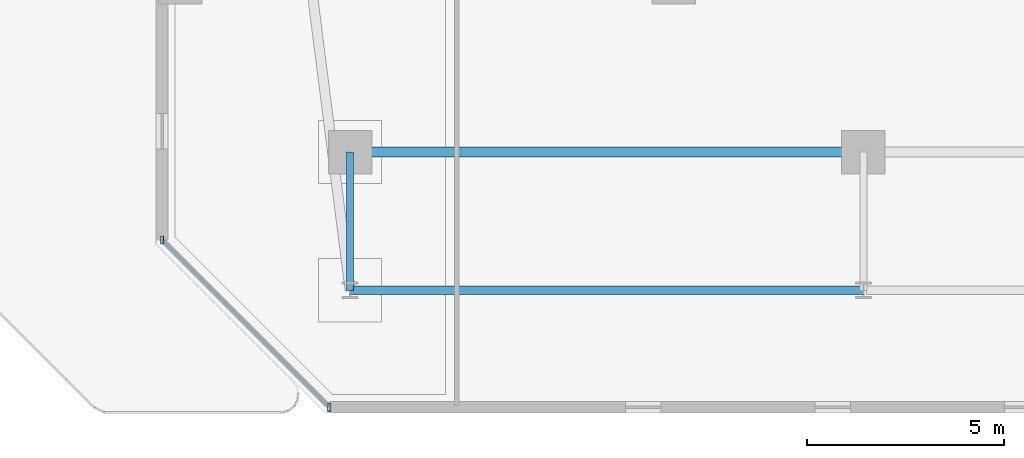
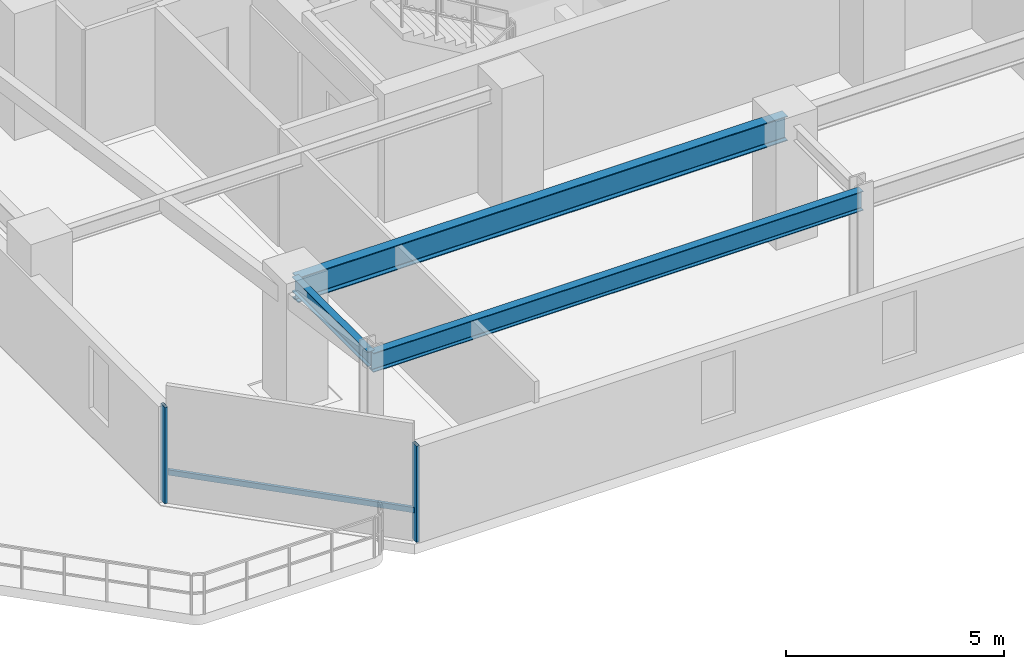
# One storey, part 3 of 30: 3 beams, 3 members, 1 element without a shape of its own.
"""IFC4 building model written with IfcOpenShell, lengths in metres."""

from ifc_helpers import new_model, si_unit, direction, frame, origin, origin_2d, place, context, subcontext, project, spatial, hollow_rectangle, i_section, extrude, material, material_profile, profile_set, type_object, element, aggregate, save


model = new_model("IFC4")

# Units and contexts
model_context = context("Model", 3, precision=1e-05, world=origin(), true_north=direction((0.0, 1.0)))
body_context = subcontext(model_context, "Body", "Model", "MODEL_VIEW")
ifc_project = project(units=[si_unit("LENGTHUNIT", "METRE"), si_unit("AREAUNIT", "SQUARE_METRE"), si_unit("VOLUMEUNIT", "CUBIC_METRE"), si_unit("PLANEANGLEUNIT", "RADIAN"), si_unit("MASSUNIT", "GRAM", prefix="KILO")], contexts=[model_context])

# Site, building, storey
site_placement = place(None, origin())
site = spatial("IfcSite", under=ifc_project, at=site_placement, CompositionType="ELEMENT")
building_placement = place(site_placement, origin())
building = spatial("IfcBuilding", under=site, at=building_placement, Name="Thornwick Lancets Civic Towers", CompositionType="ELEMENT")
storey_placement = place(building_placement, frame((0.0, 0.0, 149.10009765625)))
storey = spatial("IfcBuildingStorey", under=building, at=storey_placement, Name="L39", CompositionType="ELEMENT", Elevation=149.10009765625)

# Beams
ifc_material_1 = material(Name="Steel S355JR", Category="steel")
ifc_material_profile_1 = material_profile(ifc_material_1, i_section(OverallWidth=0.210693359375, OverallDepth=0.53955078125, WebThickness=0.01171875, FlangeThickness=0.018798828125, FilletRadius=0.0126953125, at=origin_2d()), Name="UKB 533x210x109")
ifc_profile_set_1 = profile_set([ifc_material_profile_1], Name="Steel S355JR")
beam_type_1 = type_object("IfcBeamType", Name="BM_EDGE_533_109", PredefinedType="SPANDREL", material=ifc_profile_set_1)
beam_1_placement = place(storey_placement, frame((12.5, 6.199951171875, 3.050048828125), z_axis=(1.0, 0.0, 0.0), x_axis=(0.0, 1.0, 0.0)))
element("IfcBeam", 1, at=beam_1_placement, inside=storey, type_object=beam_type_1, Name="BM-EDGE-L39-A-S0-1", PredefinedType="SPANDREL", context=body_context, shape_type="SweptSolid", body=[
    extrude(i_section(OverallWidth=0.210693359375, OverallDepth=0.53955078125, WebThickness=0.01171875, FlangeThickness=0.018798828125, FilletRadius=0.0126953125, at=origin_2d()), origin(), (0.0, 0.0, 1.0), 13.0),
])
ifc_material_profile_2 = material_profile(ifc_material_1, i_section(OverallWidth=0.255859375, OverallDepth=0.69287109375, WebThickness=0.014404296875, FlangeThickness=0.023681640625, FilletRadius=0.01513671875, at=origin_2d()), Name="UKB 686x254x170")
ifc_profile_set_2 = profile_set([ifc_material_profile_2], Name="Steel S355JR")
beam_type_2 = type_object("IfcBeamType", Name="BM_GIRD_686_170", PredefinedType="BEAM", material=ifc_profile_set_2)
beam_2_placement = place(storey_placement, frame((12.5, 9.699951171875, 2.973388671875), z_axis=(1.0, 0.0, 0.0), x_axis=(0.0, 1.0, 0.0)))
element("IfcBeam", 2, at=beam_2_placement, inside=storey, type_object=beam_type_2, Name="BM-SPINE-L39-A-0-1", PredefinedType="BEAM", context=body_context, shape_type="SweptSolid", body=[
    extrude(i_section(OverallWidth=0.255859375, OverallDepth=0.69287109375, WebThickness=0.014404296875, FlangeThickness=0.023681640625, FilletRadius=0.01513671875, at=origin_2d()), origin(), (0.0, 0.0, 1.0), 13.0),
])
ifc_material_profile_3 = material_profile(ifc_material_1, i_section(OverallWidth=0.179443359375, OverallDepth=0.412841796875, WebThickness=0.009521484375, FlangeThickness=0.01611328125, FilletRadius=0.01025390625, at=origin_2d()), Name="UKB 406x178x74")
ifc_profile_set_3 = profile_set([ifc_material_profile_3], Name="Steel S355JR")
beam_type_3 = type_object("IfcBeamType", Name="BM_JOIST_406_74", PredefinedType="JOIST", material=ifc_profile_set_3)
beam_3_placement = place(storey_placement, frame((12.5, 9.699951171875, 3.113525390625), z_axis=(0.0, -1.0, 0.0), x_axis=(1.0, 0.0, 0.0)))
element("IfcBeam", 3, at=beam_3_placement, inside=storey, type_object=beam_type_3, Name="BM-RAD-L39-A01", PredefinedType="JOIST", context=body_context, shape_type="SweptSolid", body=[
    extrude(i_section(OverallWidth=0.179443359375, OverallDepth=0.412841796875, WebThickness=0.009521484375, FlangeThickness=0.01611328125, FilletRadius=0.01025390625, at=origin_2d()), origin(), (0.0, 0.0, 1.0), 3.5),
])

# Curtain wall, members
ifc_material_2 = material(Name="Mid-zone chamfered-corner unitised glass curtain wall", Category="glass")
curtain_wall_type = type_object("IfcCurtainWallType", Name="CW_SYS_04", PredefinedType="NOTDEFINED", material=ifc_material_2)
curtain_wall_placement = place(storey_placement, origin())
curtain_wall = element("IfcCurtainWall", 4, at=curtain_wall_placement, inside=storey, type_object=curtain_wall_type, Name="L39 Curtain Wall CW-L39-A-E7", PredefinedType="NOTDEFINED")
ifc_material_3 = material(Name="Thermally broken bronze aluminium S355", Category="steel")
ifc_material_profile_4 = material_profile(ifc_material_3, hollow_rectangle(XDim=0.080078125, YDim=0.199951171875, WallThickness=0.006103515625, at=origin_2d()), Name="RHS 200x80x6")
ifc_profile_set_4 = profile_set([ifc_material_profile_4], Name="Thermally broken bronze aluminium S355")
member_type_1 = type_object("IfcMemberType", Name="CW_MUL_200", PredefinedType="MULLION", material=ifc_profile_set_4)
member_1_placement = place(storey_placement, frame((7.74072265625, 7.47412109375, 0.0), z_axis=(0.0, 0.0, 1.0), x_axis=(1.0, 0.0, 0.0)))
member_1 = element("IfcMember", 5, at=member_1_placement, type_object=member_type_1, Name="CW-L39-A-E7 Mullion 0", PredefinedType="MULLION", context=body_context, shape_type="SweptSolid", body=[
    extrude(hollow_rectangle(XDim=0.080078125, YDim=0.199951171875, WallThickness=0.006103515625, at=origin_2d()), origin(), (0.0, 0.0, 1.0), 2.699951171875),
])
member_2_placement = place(storey_placement, frame((11.97412109375, 3.24072265625, 0.0), z_axis=(0.0, 0.0, 1.0), x_axis=(1.0, 0.0, 0.0)))
member_2 = element("IfcMember", 6, at=member_2_placement, type_object=member_type_1, Name="CW-L39-A-E7 Mullion 1", PredefinedType="MULLION", context=body_context, shape_type="SweptSolid", body=[
    extrude(hollow_rectangle(XDim=0.080078125, YDim=0.199951171875, WallThickness=0.006103515625, at=origin_2d()), origin(), (0.0, 0.0, 1.0), 2.699951171875),
])
ifc_material_profile_5 = material_profile(ifc_material_3, hollow_rectangle(XDim=0.074951171875, YDim=0.14990234375, WallThickness=0.0048828125, at=origin_2d()), Name="RHS 150x75x5")
ifc_profile_set_5 = profile_set([ifc_material_profile_5], Name="Thermally broken bronze aluminium S355")
member_type_2 = type_object("IfcMemberType", Name="CW_TRN_150", PredefinedType="USERDEFINED", material=ifc_profile_set_5)
member_3_placement = place(storey_placement, frame((7.7548828125, 7.4599609375, 0.849853515625), z_axis=(0.707106781187, -0.707106781187, 0.0), x_axis=(0.707106781187, 0.707106781187, 0.0)))
member_3 = element("IfcMember", 7, at=member_3_placement, type_object=member_type_2, Name="CW-L39-A-E7 Transom 0", ObjectType="TRANSOM", PredefinedType="USERDEFINED", context=body_context, shape_type="SweptSolid", body=[
    extrude(hollow_rectangle(XDim=0.074951171875, YDim=0.14990234375, WallThickness=0.0048828125, at=origin_2d()), origin(), (0.0, 0.0, 1.0), 5.94677734375),
])
aggregate(curtain_wall, [member_1, member_2, member_3])

save(model, "model.ifc")
